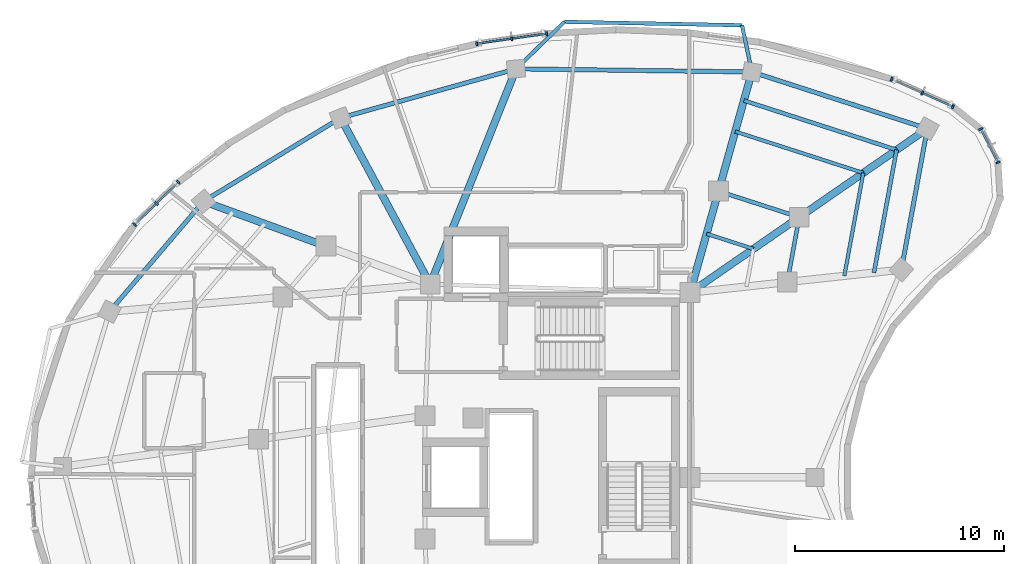
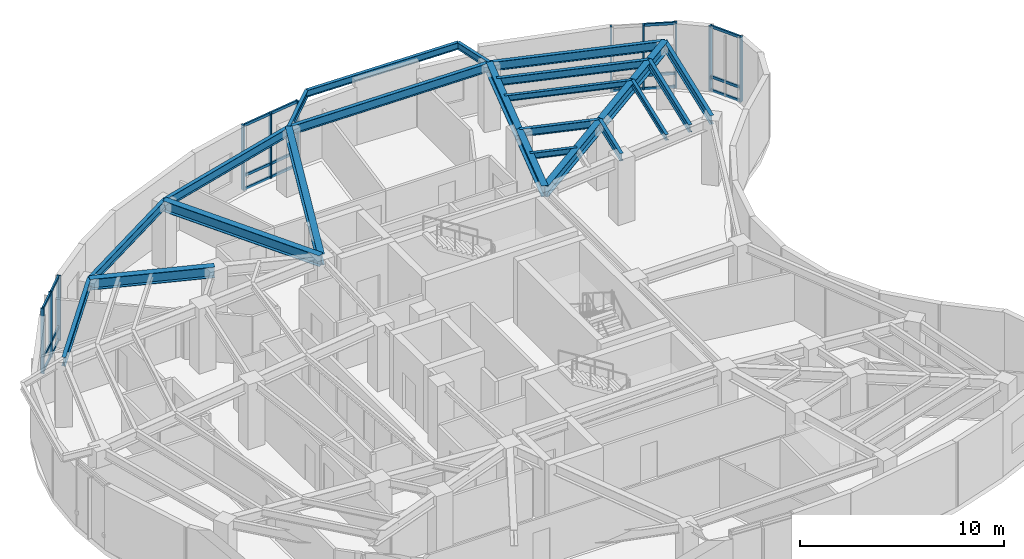
# One storey, part 5 of 13: 30 members, 23 beams, 4 elements without a shape of their own.
"""IFC4 building model written with IfcOpenShell, lengths in metres."""

from ifc_helpers import new_model, si_unit, direction, frame, origin, origin_2d, place, context, subcontext, project, spatial, rectangle, i_section, extrude, material, layer, layer_set, material_profile, profile_set, type_object, element, aggregate, save


model = new_model("IFC4")

# Units and contexts
model_context = context("Model", 3, precision=1e-05, world=origin(), true_north=direction((0.0, 1.0)))
body_context = subcontext(model_context, "Body", "Model", "MODEL_VIEW")
ifc_project = project(units=[si_unit("LENGTHUNIT", "METRE"), si_unit("AREAUNIT", "SQUARE_METRE"), si_unit("VOLUMEUNIT", "CUBIC_METRE"), si_unit("PLANEANGLEUNIT", "RADIAN"), si_unit("MASSUNIT", "GRAM", prefix="KILO")], contexts=[model_context])

# Site, building, storey
site_placement = place(None, origin())
site = spatial("IfcSite", under=ifc_project, at=site_placement, CompositionType="ELEMENT")
building_placement = place(site_placement, origin())
building = spatial("IfcBuilding", under=site, at=building_placement, Name="Korentha Bioscience Tower", CompositionType="ELEMENT")
storey_placement = place(building_placement, frame((0.0, 0.0, 243.60009765625)))
storey = spatial("IfcBuildingStorey", under=building, at=storey_placement, Name="L56", CompositionType="ELEMENT", Elevation=243.60009765625)

# Beams
ifc_material_1 = material(Name="Steel S355", Category="steel")
ifc_material_profile_1 = material_profile(ifc_material_1, i_section(OverallWidth=0.18994140625, OverallDepth=0.45703125, WebThickness=0.009033203125, FlangeThickness=0.014404296875, at=origin_2d()), Name="Steel S355")
ifc_profile_set_1 = profile_set([ifc_material_profile_1], Name="Steel S355 (MB-460)")
beam_type_1 = type_object("IfcBeamType", Name="Mid-Ring Tie Girder W460x74", PredefinedType="BEAM", material=ifc_profile_set_1)
beam_1_placement = place(storey_placement, frame((42.77685546875, 39.464599609375, 3.67138671875), z_axis=(-0.951528341902, 0.307561074514, 0.0), x_axis=(-0.307561074514, -0.951528341902, 0.0)))
element("IfcBeam", 1, at=beam_1_placement, inside=storey, type_object=beam_type_1, Name="L56 Mid-Ring Tie Girder 01", PredefinedType="BEAM", context=body_context, shape_type="SweptSolid", body=[
    extrude(i_section(OverallWidth=0.18994140625, OverallDepth=0.45703125, WebThickness=0.009033203125, FlangeThickness=0.014404296875, at=origin_2d()), origin(), (0.0, 0.0, 1.0), 4.062744140625),
])
beam_2_placement = place(storey_placement, frame((42.205078125, 36.357177734375, 3.67138671875), z_axis=(0.180965758034, 0.983489397207, 0.0), x_axis=(-0.983489397207, 0.180965758034, 0.0)))
element("IfcBeam", 2, at=beam_2_placement, inside=storey, type_object=beam_type_1, Name="L56 Mid-Ring Tie Girder 16", PredefinedType="BEAM", context=body_context, shape_type="SweptSolid", body=[
    extrude(i_section(OverallWidth=0.18994140625, OverallDepth=0.45703125, WebThickness=0.009033203125, FlangeThickness=0.014404296875, at=origin_2d()), origin(), (0.0, 0.0, 1.0), 3.15966796875),
])

# Curtain wall, members
ifc_material_2 = material(Name="Thermally Broken Aluminium Frame", Category="aluminium")
ifc_layer = layer(ifc_material_2, 0.219970703125, Name="Thermally Broken Aluminium Frame")
ifc_layer_set = layer_set([ifc_layer], Name="Thermally Broken Aluminium Frame (CW-T2)")
curtain_wall_type = type_object("IfcCurtainWallType", Name="Solar-Screened Lab Unitised Curtain Wall CW-T2", PredefinedType="USERDEFINED", material=ifc_layer_set)
curtain_wall_1_placement = place(storey_placement, origin())
curtain_wall_1 = element("IfcCurtainWall", 3, at=curtain_wall_1_placement, inside=storey, type_object=curtain_wall_type, Name="L56 Curtain Wall 01", ObjectType="UNITISED", PredefinedType="USERDEFINED")
ifc_material_3 = material(Name="Anodised Aluminium 6063-T6", Category="aluminium")
ifc_material_profile_2 = material_profile(ifc_material_3, rectangle(XDim=0.090087890625, YDim=0.199951171875, at=origin_2d()), Name="Anodised Aluminium 6063-T6")
ifc_profile_set_2 = profile_set([ifc_material_profile_2], Name="Anodised Aluminium 6063-T6 (CW-MUL)")
member_type_1 = type_object("IfcMemberType", Name="Mullion RECT 90x200", PredefinedType="MULLION", material=ifc_profile_set_2)
member_1_placement = place(storey_placement, frame((50.13916015625, 44.75830078125, 0.0), z_axis=(0.0, 0.0, 1.0), x_axis=(-0.912621774183, 0.408804962405, 0.0)))
member_1 = element("IfcMember", 4, at=member_1_placement, type_object=member_type_1, Name="CW-L56-01 Mullion 1", PredefinedType="MULLION", context=body_context, shape_type="SweptSolid", body=[
    extrude(rectangle(XDim=0.090087890625, YDim=0.199951171875, at=origin_2d()), origin(), (0.0, 0.0, 1.0), 3.89990234375),
])
member_2_placement = place(storey_placement, frame((48.67138671875, 45.415771484375, 0.0), z_axis=(0.0, 0.0, 1.0), x_axis=(-0.912621774183, 0.408804962405, 0.0)))
member_2 = element("IfcMember", 5, at=member_2_placement, type_object=member_type_1, Name="CW-L56-01 Mullion 2", PredefinedType="MULLION", context=body_context, shape_type="SweptSolid", body=[
    extrude(rectangle(XDim=0.090087890625, YDim=0.199951171875, at=origin_2d()), origin(), (0.0, 0.0, 1.0), 3.89990234375),
])
member_3_placement = place(storey_placement, frame((47.203369140625, 46.0732421875, 0.0), z_axis=(0.0, 0.0, 1.0), x_axis=(-0.912621774183, 0.408804962405, 0.0)))
member_3 = element("IfcMember", 6, at=member_3_placement, type_object=member_type_1, Name="CW-L56-01 Mullion 3", PredefinedType="MULLION", context=body_context, shape_type="SweptSolid", body=[
    extrude(rectangle(XDim=0.090087890625, YDim=0.199951171875, at=origin_2d()), origin(), (0.0, 0.0, 1.0), 3.89990234375),
])

curtain_wall_2_placement = place(storey_placement, origin())
curtain_wall_2 = element("IfcCurtainWall", 7, at=curtain_wall_2_placement, inside=storey, type_object=curtain_wall_type, Name="L56 Curtain Wall 07", ObjectType="UNITISED", PredefinedType="USERDEFINED")
member_4_placement = place(storey_placement, frame((30.67919921875, 48.25830078125, 0.0), z_axis=(0.0, 0.0, 1.0), x_axis=(-0.989728990307, -0.142956377076, 0.0)))
member_4 = element("IfcMember", 8, at=member_4_placement, type_object=member_type_1, Name="CW-L56-07 Mullion 1", PredefinedType="MULLION", context=body_context, shape_type="SweptSolid", body=[
    extrude(rectangle(XDim=0.090087890625, YDim=0.199951171875, at=origin_2d()), origin(), (0.0, 0.0, 1.0), 3.89990234375),
])
member_5_placement = place(storey_placement, frame((29.00439453125, 48.016357421875, 0.0), z_axis=(0.0, 0.0, 1.0), x_axis=(-0.989728990307, -0.142956377076, 0.0)))
member_5 = element("IfcMember", 9, at=member_5_placement, type_object=member_type_1, Name="CW-L56-07 Mullion 2", PredefinedType="MULLION", context=body_context, shape_type="SweptSolid", body=[
    extrude(rectangle(XDim=0.090087890625, YDim=0.199951171875, at=origin_2d()), origin(), (0.0, 0.0, 1.0), 3.89990234375),
])
member_6_placement = place(storey_placement, frame((27.329345703125, 47.7744140625, 0.0), z_axis=(0.0, 0.0, 1.0), x_axis=(-0.989728990307, -0.142956377076, 0.0)))
member_6 = element("IfcMember", 10, at=member_6_placement, type_object=member_type_1, Name="CW-L56-07 Mullion 3", PredefinedType="MULLION", context=body_context, shape_type="SweptSolid", body=[
    extrude(rectangle(XDim=0.090087890625, YDim=0.199951171875, at=origin_2d()), origin(), (0.0, 0.0, 1.0), 3.89990234375),
])

curtain_wall_3_placement = place(storey_placement, origin())
curtain_wall_3 = element("IfcCurtainWall", 11, at=curtain_wall_3_placement, inside=storey, type_object=curtain_wall_type, Name="L56 Curtain Wall 13", ObjectType="UNITISED", PredefinedType="USERDEFINED")
member_7_placement = place(storey_placement, frame((13.03125, 41.143310546875, 0.0), z_axis=(0.0, 0.0, 1.0), x_axis=(-0.715993919158, -0.698106516034, 0.0)))
member_7 = element("IfcMember", 12, at=member_7_placement, type_object=member_type_1, Name="CW-L56-13 Mullion 1", PredefinedType="MULLION", context=body_context, shape_type="SweptSolid", body=[
    extrude(rectangle(XDim=0.090087890625, YDim=0.199951171875, at=origin_2d()), origin(), (0.0, 0.0, 1.0), 3.89990234375),
])
member_8_placement = place(storey_placement, frame((11.98486328125, 40.123046875, 0.0), z_axis=(0.0, 0.0, 1.0), x_axis=(-0.715993919158, -0.698106516034, 0.0)))
member_8 = element("IfcMember", 13, at=member_8_placement, type_object=member_type_1, Name="CW-L56-13 Mullion 2", PredefinedType="MULLION", context=body_context, shape_type="SweptSolid", body=[
    extrude(rectangle(XDim=0.090087890625, YDim=0.199951171875, at=origin_2d()), origin(), (0.0, 0.0, 1.0), 3.89990234375),
])
member_9_placement = place(storey_placement, frame((10.938232421875, 39.1025390625, 0.0), z_axis=(0.0, 0.0, 1.0), x_axis=(-0.715993919158, -0.698106516034, 0.0)))
member_9 = element("IfcMember", 14, at=member_9_placement, type_object=member_type_1, Name="CW-L56-13 Mullion 3", PredefinedType="MULLION", context=body_context, shape_type="SweptSolid", body=[
    extrude(rectangle(XDim=0.090087890625, YDim=0.199951171875, at=origin_2d()), origin(), (0.0, 0.0, 1.0), 3.89990234375),
])

curtain_wall_4_placement = place(storey_placement, origin())
curtain_wall_4 = element("IfcCurtainWall", 15, at=curtain_wall_4_placement, inside=storey, type_object=curtain_wall_type, Name="L56 Curtain Wall 61", ObjectType="UNITISED", PredefinedType="USERDEFINED")
member_10_placement = place(storey_placement, frame((52.2958984375, 42.089599609375, 0.0), z_axis=(0.0, 0.0, 1.0), x_axis=(-0.457569503198, 0.889173857996, 0.0)))
member_10 = element("IfcMember", 16, at=member_10_placement, type_object=member_type_1, Name="CW-L56-61 Mullion 1", PredefinedType="MULLION", context=body_context, shape_type="SweptSolid", body=[
    extrude(rectangle(XDim=0.090087890625, YDim=0.199951171875, at=origin_2d()), origin(), (0.0, 0.0, 1.0), 3.89990234375),
])
member_11_placement = place(storey_placement, frame((51.4736328125, 43.6875, 0.0), z_axis=(0.0, 0.0, 1.0), x_axis=(-0.457569503198, 0.889173857996, 0.0)))
member_11 = element("IfcMember", 17, at=member_11_placement, type_object=member_type_1, Name="CW-L56-61 Mullion 2", PredefinedType="MULLION", context=body_context, shape_type="SweptSolid", body=[
    extrude(rectangle(XDim=0.090087890625, YDim=0.199951171875, at=origin_2d()), origin(), (0.0, 0.0, 1.0), 3.89990234375),
])

# Beams
ifc_material_profile_3 = material_profile(ifc_material_1, i_section(OverallWidth=0.208984375, OverallDepth=0.532958984375, WebThickness=0.01025390625, FlangeThickness=0.015625, at=origin_2d()), Name="Steel S355")
ifc_profile_set_3 = profile_set([ifc_material_profile_3], Name="Steel S355 (SB-530)")
beam_type_2 = type_object("IfcBeamType", Name="Perimeter Ring Spandrel Girder W530x92", PredefinedType="SPANDREL", material=ifc_profile_set_3)
beam_3_placement = place(storey_placement, frame((48.912841796875, 43.707763671875, 3.63330078125), z_axis=(-0.951540431246, 0.307523670151, 0.0), x_axis=(-0.307523670151, -0.951540431246, 0.0)))
element("IfcBeam", 18, at=beam_3_placement, inside=storey, type_object=beam_type_2, Name="L56 Perimeter Spandrel Girder 01", PredefinedType="SPANDREL", context=body_context, shape_type="SweptSolid", body=[
    extrude(i_section(OverallWidth=0.208984375, OverallDepth=0.532958984375, WebThickness=0.01025390625, FlangeThickness=0.015625, at=origin_2d()), origin(), (0.0, 0.0, 1.0), 8.83203125),
])
beam_4_placement = place(storey_placement, frame((40.5087890625, 46.423828125, 3.63330078125), z_axis=(-0.999915413236, 0.013006397415, 0.0), x_axis=(-0.013006397415, -0.999915413236, 0.0)))
element("IfcBeam", 19, at=beam_4_placement, inside=storey, type_object=beam_type_2, Name="L56 Perimeter Spandrel Girder 02", PredefinedType="SPANDREL", context=body_context, shape_type="SweptSolid", body=[
    extrude(i_section(OverallWidth=0.208984375, OverallDepth=0.532958984375, WebThickness=0.01025390625, FlangeThickness=0.015625, at=origin_2d()), origin(), (0.0, 0.0, 1.0), 11.300048828125),
])
beam_5_placement = place(storey_placement, frame((29.209716796875, 46.57080078125, 3.63330078125), z_axis=(-0.963069388381, -0.269253325258, 0.0), x_axis=(0.269253325258, -0.963069388381, 0.0)))
element("IfcBeam", 20, at=beam_5_placement, inside=storey, type_object=beam_type_2, Name="L56 Perimeter Spandrel Girder 03", PredefinedType="SPANDREL", context=body_context, shape_type="SweptSolid", body=[
    extrude(i_section(OverallWidth=0.208984375, OverallDepth=0.532958984375, WebThickness=0.01025390625, FlangeThickness=0.015625, at=origin_2d()), origin(), (0.0, 0.0, 1.0), 8.72900390625),
])
beam_6_placement = place(storey_placement, frame((20.802978515625, 44.220458984375, 3.63330078125), z_axis=(-0.854346933574, -0.519703104755, 0.0), x_axis=(0.519703104755, -0.854346933574, 0.0)))
element("IfcBeam", 21, at=beam_6_placement, inside=storey, type_object=beam_type_2, Name="L56 Perimeter Spandrel Girder 04", PredefinedType="SPANDREL", context=body_context, shape_type="SweptSolid", body=[
    extrude(i_section(OverallWidth=0.208984375, OverallDepth=0.532958984375, WebThickness=0.01025390625, FlangeThickness=0.015625, at=origin_2d()), origin(), (0.0, 0.0, 1.0), 7.687255859375),
])
beam_7_placement = place(storey_placement, frame((14.2353515625, 40.225341796875, 3.63330078125), z_axis=(-0.648430983047, -0.76127344642, 0.0), x_axis=(0.76127344642, -0.648430983047, 0.0)))
element("IfcBeam", 22, at=beam_7_placement, inside=storey, type_object=beam_type_2, Name="L56 Perimeter Spandrel Girder 05", PredefinedType="SPANDREL", context=body_context, shape_type="SweptSolid", body=[
    extrude(i_section(OverallWidth=0.208984375, OverallDepth=0.532958984375, WebThickness=0.01025390625, FlangeThickness=0.015625, at=origin_2d()), origin(), (0.0, 0.0, 1.0), 6.94287109375),
])
beam_8_placement = place(storey_placement, frame((47.669921875, 36.95263671875, 3.63330078125), z_axis=(0.180958869982, 0.98349066461, 0.0), x_axis=(-0.98349066461, 0.180958869982, 0.0)))
element("IfcBeam", 23, at=beam_8_placement, inside=storey, type_object=beam_type_2, Name="L56 Perimeter Spandrel Girder 16", PredefinedType="SPANDREL", context=body_context, shape_type="SweptSolid", body=[
    extrude(i_section(OverallWidth=0.208984375, OverallDepth=0.532958984375, WebThickness=0.01025390625, FlangeThickness=0.015625, at=origin_2d()), origin(), (0.0, 0.0, 1.0), 6.868408203125),
])
ifc_material_profile_4 = material_profile(ifc_material_1, i_section(OverallWidth=0.18994140625, OverallDepth=0.45703125, WebThickness=0.009033203125, FlangeThickness=0.014404296875, at=origin_2d()), Name="Steel S355")
ifc_profile_set_4 = profile_set([ifc_material_profile_4], Name="Steel S355 (RB-460)")
beam_type_3 = type_object("IfcBeamType", Name="Radial Laboratory Beam W460x74", PredefinedType="BEAM", material=ifc_profile_set_4)
beam_9_placement = place(storey_placement, frame((47.440185546875, 42.689208984375, 3.67138671875), z_axis=(-0.951530655781, 0.307553915777, 0.0), x_axis=(-0.307553915777, -0.951530655781, 0.0)))
element("IfcBeam", 24, at=beam_9_placement, inside=storey, type_object=beam_type_3, Name="L56 Secondary Floor Beam JSTO-01", PredefinedType="BEAM", context=body_context, shape_type="SweptSolid", body=[
    extrude(i_section(OverallWidth=0.18994140625, OverallDepth=0.45703125, WebThickness=0.009033203125, FlangeThickness=0.014404296875, at=origin_2d()), origin(), (0.0, 0.0, 1.0), 7.687255859375),
])
beam_10_placement = place(storey_placement, frame((46.3583984375, 36.809814453125, 3.67138671875), z_axis=(0.18095869438, 0.98349069692, 0.0), x_axis=(-0.98349069692, 0.18095869438, 0.0)))
element("IfcBeam", 25, at=beam_10_placement, inside=storey, type_object=beam_type_3, Name="L56 Secondary Floor Beam JSTO-16", PredefinedType="BEAM", context=body_context, shape_type="SweptSolid", body=[
    extrude(i_section(OverallWidth=0.18994140625, OverallDepth=0.45703125, WebThickness=0.009033203125, FlangeThickness=0.014404296875, at=origin_2d()), origin(), (0.0, 0.0, 1.0), 5.97802734375),
])
ifc_material_profile_5 = material_profile(ifc_material_1, i_section(OverallWidth=0.35009765625, OverallDepth=0.64990234375, WebThickness=0.01611328125, FlangeThickness=0.02490234375, at=origin_2d()), Name="Steel S355")
ifc_profile_set_5 = profile_set([ifc_material_profile_5], Name="Steel S355 (RB-650)")
beam_type_4 = type_object("IfcBeamType", Name="Radial Laboratory Girder CVS 650x208", PredefinedType="BEAM", material=ifc_profile_set_5)
beam_11_placement = place(storey_placement, frame((37.550048828125, 35.85009765625, 3.574951171875), z_axis=(0.822490816724, 0.568778389537, 0.0), x_axis=(-0.568778389537, 0.822490816724, 0.0)))
element("IfcBeam", 26, at=beam_11_placement, inside=storey, type_object=beam_type_4, Name="L56 Inner Radial Girder 01", PredefinedType="BEAM", context=body_context, shape_type="SweptSolid", body=[
    extrude(i_section(OverallWidth=0.35009765625, OverallDepth=0.64990234375, WebThickness=0.01611328125, FlangeThickness=0.02490234375, at=origin_2d()), origin(), (0.0, 0.0, 1.0), 6.354736328125),
])
beam_12_placement = place(storey_placement, frame((42.77685546875, 39.464599609375, 3.574951171875), z_axis=(0.822494853441, 0.568772552135, 0.0), x_axis=(-0.568772552135, 0.822494853441, 0.0)))
element("IfcBeam", 27, at=beam_12_placement, inside=storey, type_object=beam_type_4, Name="L56 Outer Radial Girder 01", PredefinedType="BEAM", context=body_context, shape_type="SweptSolid", body=[
    extrude(i_section(OverallWidth=0.35009765625, OverallDepth=0.64990234375, WebThickness=0.01611328125, FlangeThickness=0.02490234375, at=origin_2d()), origin(), (0.0, 0.0, 1.0), 7.460205078125),
])
beam_13_placement = place(storey_placement, frame((37.550048828125, 35.85009765625, 3.574951171875), z_axis=(0.269475733077, 0.963007180286, 0.0), x_axis=(-0.963007180286, 0.269475733077, 0.0)))
element("IfcBeam", 28, at=beam_13_placement, inside=storey, type_object=beam_type_4, Name="L56 Inner Radial Girder 02", PredefinedType="BEAM", context=body_context, shape_type="SweptSolid", body=[
    extrude(i_section(OverallWidth=0.35009765625, OverallDepth=0.64990234375, WebThickness=0.01611328125, FlangeThickness=0.02490234375, at=origin_2d()), origin(), (0.0, 0.0, 1.0), 5.05078125),
])
beam_14_placement = place(storey_placement, frame((38.9111328125, 40.714111328125, 3.574951171875), z_axis=(0.269463441067, 0.963010619842, 0.0), x_axis=(-0.963010619842, 0.269463441067, 0.0)))
element("IfcBeam", 29, at=beam_14_placement, inside=storey, type_object=beam_type_4, Name="L56 Outer Radial Girder 02", PredefinedType="BEAM", context=body_context, shape_type="SweptSolid", body=[
    extrude(i_section(OverallWidth=0.35009765625, OverallDepth=0.64990234375, WebThickness=0.01611328125, FlangeThickness=0.02490234375, at=origin_2d()), origin(), (0.0, 0.0, 1.0), 5.928955078125),
])
beam_15_placement = place(storey_placement, frame((25.10009765625, 36.25, 3.574951171875), z_axis=(0.369938982304, 0.929056052869, 0.0), x_axis=(-0.929056052869, 0.369938982304, 0.0)))
element("IfcBeam", 30, at=beam_15_placement, inside=storey, type_object=beam_type_4, Name="L56 Radial Girder 03", PredefinedType="BEAM", context=body_context, shape_type="SweptSolid", body=[
    extrude(i_section(OverallWidth=0.35009765625, OverallDepth=0.64990234375, WebThickness=0.01611328125, FlangeThickness=0.02490234375, at=origin_2d()), origin(), (0.0, 0.0, 1.0), 11.10888671875),
])
beam_16_placement = place(storey_placement, frame((25.10009765625, 36.25, 3.574951171875), z_axis=(-0.47455638006, 0.88022510879, 0.0), x_axis=(-0.88022510879, -0.47455638006, 0.0)))
element("IfcBeam", 31, at=beam_16_placement, inside=storey, type_object=beam_type_4, Name="L56 Radial Girder 04", PredefinedType="BEAM", context=body_context, shape_type="SweptSolid", body=[
    extrude(i_section(OverallWidth=0.35009765625, OverallDepth=0.64990234375, WebThickness=0.01611328125, FlangeThickness=0.02490234375, at=origin_2d()), origin(), (0.0, 0.0, 1.0), 9.054931640625),
])
beam_17_placement = place(storey_placement, frame((20.102294921875, 38.07861328125, 3.574951171875), z_axis=(-0.939108088977, 0.343621881169, 0.0), x_axis=(-0.343621881169, -0.939108088977, 0.0)))
element("IfcBeam", 32, at=beam_17_placement, inside=storey, type_object=beam_type_4, Name="L56 Outer Radial Girder 05", PredefinedType="BEAM", context=body_context, shape_type="SweptSolid", body=[
    extrude(i_section(OverallWidth=0.35009765625, OverallDepth=0.64990234375, WebThickness=0.01611328125, FlangeThickness=0.02490234375, at=origin_2d()), origin(), (0.0, 0.0, 1.0), 6.247314453125),
])
ifc_material_profile_6 = material_profile(ifc_material_1, i_section(OverallWidth=0.1708984375, OverallDepth=0.35498046875, WebThickness=0.007080078125, FlangeThickness=0.01171875, at=origin_2d()), Name="Steel S355")
ifc_profile_set_6 = profile_set([ifc_material_profile_6], Name="Steel S355 (JB-360)")
beam_type_5 = type_object("IfcBeamType", Name="Secondary Laboratory Joist W360x51", PredefinedType="JOIST", material=ifc_profile_set_6)
beam_18_placement = place(storey_placement, frame((45.844970703125, 41.586181640625, 3.722412109375), z_axis=(-0.951532872692, 0.307547056867, 0.0), x_axis=(-0.307547056867, -0.951532872692, 0.0)))
element("IfcBeam", 33, at=beam_18_placement, inside=storey, type_object=beam_type_5, Name="L56 Secondary Floor Beam JST-01", PredefinedType="JOIST", context=body_context, shape_type="SweptSolid", body=[
    extrude(i_section(OverallWidth=0.1708984375, OverallDepth=0.35498046875, WebThickness=0.007080078125, FlangeThickness=0.01171875, at=origin_2d()), origin(), (0.0, 0.0, 1.0), 6.447509765625),
])
beam_19_placement = place(storey_placement, frame((40.58154296875, 37.9462890625, 3.722412109375), z_axis=(-0.951514105526, 0.307605115343, 0.0), x_axis=(-0.307605115343, -0.951514105526, 0.0)))
element("IfcBeam", 34, at=beam_19_placement, inside=storey, type_object=beam_type_5, Name="L56 Inner Bay Joist 01", PredefinedType="JOIST", context=body_context, shape_type="SweptSolid", body=[
    extrude(i_section(OverallWidth=0.1708984375, OverallDepth=0.35498046875, WebThickness=0.007080078125, FlangeThickness=0.01171875, at=origin_2d()), origin(), (0.0, 0.0, 1.0), 2.3564453125),
])
beam_20_placement = place(storey_placement, frame((44.9375, 36.65478515625, 3.722412109375), z_axis=(0.180980255152, 0.983486729572, 0.0), x_axis=(-0.983486729572, 0.180980255152, 0.0)))
element("IfcBeam", 35, at=beam_20_placement, inside=storey, type_object=beam_type_5, Name="L56 Secondary Floor Beam JST-16", PredefinedType="JOIST", context=body_context, shape_type="SweptSolid", body=[
    extrude(i_section(OverallWidth=0.1708984375, OverallDepth=0.35498046875, WebThickness=0.007080078125, FlangeThickness=0.01171875, at=origin_2d()), origin(), (0.0, 0.0, 1.0), 5.01416015625),
])
ifc_material_profile_7 = material_profile(ifc_material_1, i_section(OverallWidth=0.177978515625, OverallDepth=0.406982421875, WebThickness=0.0078125, FlangeThickness=0.0126953125, at=origin_2d()), Name="Steel S355")
ifc_profile_set_7 = profile_set([ifc_material_profile_7], Name="Steel S355 (CB-410)")
beam_type_6 = type_object("IfcBeamType", Name="Sun-Ledge Cantilever Beam W410x60", PredefinedType="BEAM", material=ifc_profile_set_7)
beam_21_placement = place(storey_placement, frame((40.5087890625, 46.423828125, 3.698486328125), z_axis=(-0.206559484969, 0.978434044363, 0.0), x_axis=(-0.978434044363, -0.206559484969, 0.0)))
element("IfcBeam", 36, at=beam_21_placement, inside=storey, type_object=beam_type_6, Name="L56 Balcony Cantilever Bracket A-L57-01", PredefinedType="BEAM", context=body_context, shape_type="SweptSolid", body=[
    extrude(i_section(OverallWidth=0.177978515625, OverallDepth=0.406982421875, WebThickness=0.0078125, FlangeThickness=0.0126953125, at=origin_2d()), origin(), (0.0, 0.0, 1.0), 2.285888671875),
])
beam_22_placement = place(storey_placement, frame((29.209716796875, 46.57080078125, 3.698486328125), z_axis=(0.717265361923, 0.696800115231, 0.0), x_axis=(-0.696800115231, 0.717265361923, 0.0)))
element("IfcBeam", 37, at=beam_22_placement, inside=storey, type_object=beam_type_6, Name="L56 Balcony Cantilever Bracket B-L57-01", PredefinedType="BEAM", context=body_context, shape_type="SweptSolid", body=[
    extrude(i_section(OverallWidth=0.177978515625, OverallDepth=0.406982421875, WebThickness=0.0078125, FlangeThickness=0.0126953125, at=origin_2d()), origin(), (0.0, 0.0, 1.0), 3.23291015625),
])
beam_23_placement = place(storey_placement, frame((40.03662109375, 48.660400390625, 3.698486328125), z_axis=(-0.999816336596, 0.019164891757, 0.0), x_axis=(-0.019164891757, -0.999816336596, 0.0)))
element("IfcBeam", 38, at=beam_23_placement, inside=storey, type_object=beam_type_6, Name="L56 Balcony Edge Trimmer Beam L57-01", PredefinedType="BEAM", context=body_context, shape_type="SweptSolid", body=[
    extrude(i_section(OverallWidth=0.177978515625, OverallDepth=0.406982421875, WebThickness=0.0078125, FlangeThickness=0.0126953125, at=origin_2d()), origin(), (0.0, 0.0, 1.0), 8.509521484375),
])

# Member
ifc_material_profile_8 = material_profile(ifc_material_3, rectangle(XDim=0.090087890625, YDim=0.159912109375, at=origin_2d()), Name="Anodised Aluminium 6063-T6")
ifc_profile_set_8 = profile_set([ifc_material_profile_8], Name="Anodised Aluminium 6063-T6 (CW-TRN)")
member_type_2 = type_object("IfcMemberType", Name="Transom RECT 90x160", PredefinedType="USERDEFINED", material=ifc_profile_set_8)
member_12_placement = place(storey_placement, frame((50.09814453125, 44.776611328125, 0.044921875), z_axis=(-0.912594152791, 0.408866619194, 0.0), x_axis=(-0.408866619194, -0.912594152791, 0.0)))
member_12 = element("IfcMember", 39, at=member_12_placement, type_object=member_type_2, Name="CW-L56-01 Bay 1 Transom 1", ObjectType="TRANSOM", PredefinedType="USERDEFINED", context=body_context, shape_type="SweptSolid", body=[
    extrude(rectangle(XDim=0.090087890625, YDim=0.159912109375, at=origin_2d()), origin(), (0.0, 0.0, 1.0), 1.5185546875),
])

member_13_placement = place(storey_placement, frame((50.09814453125, 44.776611328125, 0.849853515625), z_axis=(-0.912594152791, 0.408866619194, 0.0), x_axis=(-0.408866619194, -0.912594152791, 0.0)))
member_13 = element("IfcMember", 40, at=member_13_placement, type_object=member_type_2, Name="CW-L56-01 Bay 1 Transom 2", ObjectType="TRANSOM", PredefinedType="USERDEFINED", context=body_context, shape_type="SweptSolid", body=[
    extrude(rectangle(XDim=0.090087890625, YDim=0.159912109375, at=origin_2d()), origin(), (0.0, 0.0, 1.0), 1.5185546875),
])

member_14_placement = place(storey_placement, frame((50.09814453125, 44.776611328125, 3.85498046875), z_axis=(-0.912594152791, 0.408866619194, 0.0), x_axis=(-0.408866619194, -0.912594152791, 0.0)))
member_14 = element("IfcMember", 41, at=member_14_placement, type_object=member_type_2, Name="CW-L56-01 Bay 1 Transom 3", ObjectType="TRANSOM", PredefinedType="USERDEFINED", context=body_context, shape_type="SweptSolid", body=[
    extrude(rectangle(XDim=0.090087890625, YDim=0.159912109375, at=origin_2d()), origin(), (0.0, 0.0, 1.0), 1.5185546875),
])

member_15_placement = place(storey_placement, frame((48.630126953125, 45.43408203125, 0.044921875), z_axis=(-0.912594152791, 0.408866619194, 0.0), x_axis=(-0.408866619194, -0.912594152791, 0.0)))
member_15 = element("IfcMember", 42, at=member_15_placement, type_object=member_type_2, Name="CW-L56-01 Bay 2 Transom 1", ObjectType="TRANSOM", PredefinedType="USERDEFINED", context=body_context, shape_type="SweptSolid", body=[
    extrude(rectangle(XDim=0.090087890625, YDim=0.159912109375, at=origin_2d()), origin(), (0.0, 0.0, 1.0), 1.5185546875),
])

aggregate(curtain_wall_1, [member_1, member_2, member_3, member_12, member_13, member_14, member_15])

member_16_placement = place(storey_placement, frame((30.634521484375, 48.251708984375, 0.044921875), z_axis=(-0.989731950051, -0.142935884395, 0.0), x_axis=(0.142935884395, -0.989731950051, 0.0)))
member_16 = element("IfcMember", 43, at=member_16_placement, type_object=member_type_2, Name="CW-L56-07 Bay 1 Transom 1", ObjectType="TRANSOM", PredefinedType="USERDEFINED", context=body_context, shape_type="SweptSolid", body=[
    extrude(rectangle(XDim=0.090087890625, YDim=0.159912109375, at=origin_2d()), origin(), (0.0, 0.0, 1.0), 1.60205078125),
])

member_17_placement = place(storey_placement, frame((30.634521484375, 48.251708984375, 0.849853515625), z_axis=(-0.989731950051, -0.142935884395, 0.0), x_axis=(0.142935884395, -0.989731950051, 0.0)))
member_17 = element("IfcMember", 44, at=member_17_placement, type_object=member_type_2, Name="CW-L56-07 Bay 1 Transom 2", ObjectType="TRANSOM", PredefinedType="USERDEFINED", context=body_context, shape_type="SweptSolid", body=[
    extrude(rectangle(XDim=0.090087890625, YDim=0.159912109375, at=origin_2d()), origin(), (0.0, 0.0, 1.0), 1.60205078125),
])

member_18_placement = place(storey_placement, frame((30.634521484375, 48.251708984375, 3.85498046875), z_axis=(-0.989731950051, -0.142935884395, 0.0), x_axis=(0.142935884395, -0.989731950051, 0.0)))
member_18 = element("IfcMember", 45, at=member_18_placement, type_object=member_type_2, Name="CW-L56-07 Bay 1 Transom 3", ObjectType="TRANSOM", PredefinedType="USERDEFINED", context=body_context, shape_type="SweptSolid", body=[
    extrude(rectangle(XDim=0.090087890625, YDim=0.159912109375, at=origin_2d()), origin(), (0.0, 0.0, 1.0), 1.60205078125),
])

member_19_placement = place(storey_placement, frame((28.959716796875, 48.010009765625, 0.044921875), z_axis=(-0.989731950051, -0.142935884395, 0.0), x_axis=(0.142935884395, -0.989731950051, 0.0)))
member_19 = element("IfcMember", 46, at=member_19_placement, type_object=member_type_2, Name="CW-L56-07 Bay 2 Transom 1", ObjectType="TRANSOM", PredefinedType="USERDEFINED", context=body_context, shape_type="SweptSolid", body=[
    extrude(rectangle(XDim=0.090087890625, YDim=0.159912109375, at=origin_2d()), origin(), (0.0, 0.0, 1.0), 1.60205078125),
])

member_20_placement = place(storey_placement, frame((28.959716796875, 48.010009765625, 0.849853515625), z_axis=(-0.989731950051, -0.142935884395, 0.0), x_axis=(0.142935884395, -0.989731950051, 0.0)))
member_20 = element("IfcMember", 47, at=member_20_placement, type_object=member_type_2, Name="CW-L56-07 Bay 2 Transom 2", ObjectType="TRANSOM", PredefinedType="USERDEFINED", context=body_context, shape_type="SweptSolid", body=[
    extrude(rectangle(XDim=0.090087890625, YDim=0.159912109375, at=origin_2d()), origin(), (0.0, 0.0, 1.0), 1.60205078125),
])

member_21_placement = place(storey_placement, frame((28.959716796875, 48.010009765625, 3.85498046875), z_axis=(-0.989731950051, -0.142935884395, 0.0), x_axis=(0.142935884395, -0.989731950051, 0.0)))
member_21 = element("IfcMember", 48, at=member_21_placement, type_object=member_type_2, Name="CW-L56-07 Bay 2 Transom 3", ObjectType="TRANSOM", PredefinedType="USERDEFINED", context=body_context, shape_type="SweptSolid", body=[
    extrude(rectangle(XDim=0.090087890625, YDim=0.159912109375, at=origin_2d()), origin(), (0.0, 0.0, 1.0), 1.60205078125),
])

aggregate(curtain_wall_2, [member_4, member_5, member_6, member_16, member_17, member_18, member_19, member_20, member_21])

member_22_placement = place(storey_placement, frame((12.9990234375, 41.112060546875, 0.044921875), z_axis=(-0.71586223021, -0.698241553733, 0.0), x_axis=(0.698241553733, -0.71586223021, 0.0)))
member_22 = element("IfcMember", 49, at=member_22_placement, type_object=member_type_2, Name="CW-L56-13 Bay 1 Transom 1", ObjectType="TRANSOM", PredefinedType="USERDEFINED", context=body_context, shape_type="SweptSolid", body=[
    extrude(rectangle(XDim=0.090087890625, YDim=0.159912109375, at=origin_2d()), origin(), (0.0, 0.0, 1.0), 1.37158203125),
])

member_23_placement = place(storey_placement, frame((12.9990234375, 41.112060546875, 0.849853515625), z_axis=(-0.71586223021, -0.698241553733, 0.0), x_axis=(0.698241553733, -0.71586223021, 0.0)))
member_23 = element("IfcMember", 50, at=member_23_placement, type_object=member_type_2, Name="CW-L56-13 Bay 1 Transom 2", ObjectType="TRANSOM", PredefinedType="USERDEFINED", context=body_context, shape_type="SweptSolid", body=[
    extrude(rectangle(XDim=0.090087890625, YDim=0.159912109375, at=origin_2d()), origin(), (0.0, 0.0, 1.0), 1.37158203125),
])

member_24_placement = place(storey_placement, frame((12.9990234375, 41.112060546875, 3.85498046875), z_axis=(-0.71586223021, -0.698241553733, 0.0), x_axis=(0.698241553733, -0.71586223021, 0.0)))
member_24 = element("IfcMember", 51, at=member_24_placement, type_object=member_type_2, Name="CW-L56-13 Bay 1 Transom 3", ObjectType="TRANSOM", PredefinedType="USERDEFINED", context=body_context, shape_type="SweptSolid", body=[
    extrude(rectangle(XDim=0.090087890625, YDim=0.159912109375, at=origin_2d()), origin(), (0.0, 0.0, 1.0), 1.37158203125),
])

member_25_placement = place(storey_placement, frame((11.952392578125, 40.091552734375, 0.044921875), z_axis=(-0.715951201139, -0.698150325924, 0.0), x_axis=(0.698150325924, -0.715951201139, 0.0)))
member_25 = element("IfcMember", 52, at=member_25_placement, type_object=member_type_2, Name="CW-L56-13 Bay 2 Transom 1", ObjectType="TRANSOM", PredefinedType="USERDEFINED", context=body_context, shape_type="SweptSolid", body=[
    extrude(rectangle(XDim=0.090087890625, YDim=0.159912109375, at=origin_2d()), origin(), (0.0, 0.0, 1.0), 1.37158203125),
])

member_26_placement = place(storey_placement, frame((11.952392578125, 40.091552734375, 0.849853515625), z_axis=(-0.715951201139, -0.698150325924, 0.0), x_axis=(0.698150325924, -0.715951201139, 0.0)))
member_26 = element("IfcMember", 53, at=member_26_placement, type_object=member_type_2, Name="CW-L56-13 Bay 2 Transom 2", ObjectType="TRANSOM", PredefinedType="USERDEFINED", context=body_context, shape_type="SweptSolid", body=[
    extrude(rectangle(XDim=0.090087890625, YDim=0.159912109375, at=origin_2d()), origin(), (0.0, 0.0, 1.0), 1.37158203125),
])

member_27_placement = place(storey_placement, frame((11.952392578125, 40.091552734375, 3.85498046875), z_axis=(-0.715951201139, -0.698150325924, 0.0), x_axis=(0.698150325924, -0.715951201139, 0.0)))
member_27 = element("IfcMember", 54, at=member_27_placement, type_object=member_type_2, Name="CW-L56-13 Bay 2 Transom 3", ObjectType="TRANSOM", PredefinedType="USERDEFINED", context=body_context, shape_type="SweptSolid", body=[
    extrude(rectangle(XDim=0.090087890625, YDim=0.159912109375, at=origin_2d()), origin(), (0.0, 0.0, 1.0), 1.37158203125),
])

aggregate(curtain_wall_3, [member_7, member_8, member_9, member_22, member_23, member_24, member_25, member_26, member_27])

member_28_placement = place(storey_placement, frame((52.275390625, 42.129638671875, 0.044921875), z_axis=(-0.457480490139, 0.889219658545, 0.0), x_axis=(-0.889219658545, -0.457480490139, 0.0)))
member_28 = element("IfcMember", 55, at=member_28_placement, type_object=member_type_2, Name="CW-L56-61 Bay 1 Transom 1", ObjectType="TRANSOM", PredefinedType="USERDEFINED", context=body_context, shape_type="SweptSolid", body=[
    extrude(rectangle(XDim=0.090087890625, YDim=0.159912109375, at=origin_2d()), origin(), (0.0, 0.0, 1.0), 1.707275390625),
])

member_29_placement = place(storey_placement, frame((52.275390625, 42.129638671875, 0.849853515625), z_axis=(-0.457480490139, 0.889219658545, 0.0), x_axis=(-0.889219658545, -0.457480490139, 0.0)))
member_29 = element("IfcMember", 56, at=member_29_placement, type_object=member_type_2, Name="CW-L56-61 Bay 1 Transom 2", ObjectType="TRANSOM", PredefinedType="USERDEFINED", context=body_context, shape_type="SweptSolid", body=[
    extrude(rectangle(XDim=0.090087890625, YDim=0.159912109375, at=origin_2d()), origin(), (0.0, 0.0, 1.0), 1.707275390625),
])

member_30_placement = place(storey_placement, frame((52.275390625, 42.129638671875, 3.85498046875), z_axis=(-0.457480490139, 0.889219658545, 0.0), x_axis=(-0.889219658545, -0.457480490139, 0.0)))
member_30 = element("IfcMember", 57, at=member_30_placement, type_object=member_type_2, Name="CW-L56-61 Bay 1 Transom 3", ObjectType="TRANSOM", PredefinedType="USERDEFINED", context=body_context, shape_type="SweptSolid", body=[
    extrude(rectangle(XDim=0.090087890625, YDim=0.159912109375, at=origin_2d()), origin(), (0.0, 0.0, 1.0), 1.707275390625),
])

aggregate(curtain_wall_4, [member_10, member_11, member_28, member_29, member_30])

save(model, "model.ifc")
